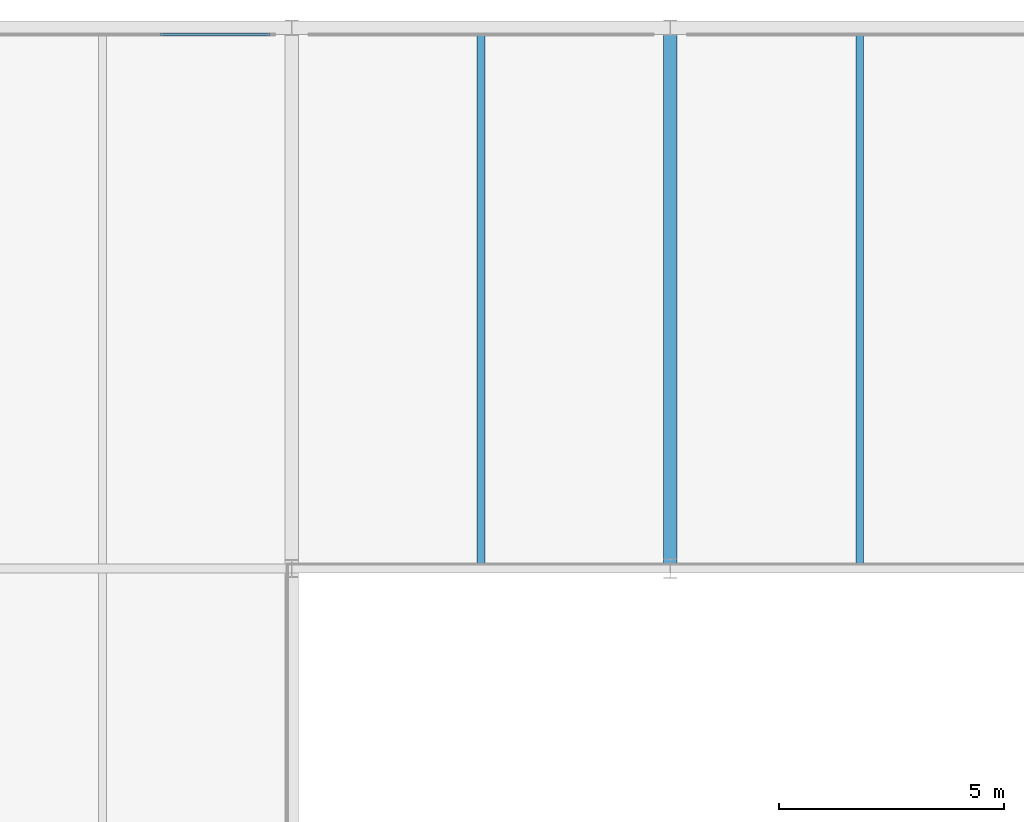
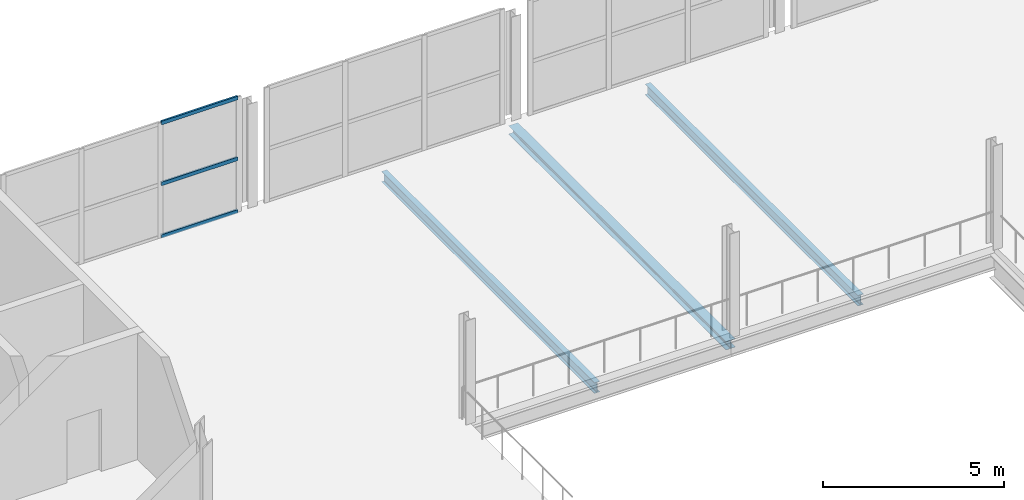
# One storey, part 62 of 103: 3 beams, 3 members, 1 element without a shape of its own.
"""IFC4 building model written with IfcOpenShell, lengths in metres."""

import ifcopenshell
import ifcopenshell.guid

model = None  # the IFC model being written
_history = None  # IfcOwnerHistory: only IFC2X3 demands one
_inside = {}  # id of a spatial element -> (the spatial element, [elements in it])
_under = {}  # id of a project, library or spatial element -> (it, [spatial elements below it])
_declared = {}  # id of a project -> (the project, [libraries it declares])
_typed = {}  # id of a type object -> (the type object, [elements of that type])
_made_of = {}  # id of a material, layer set ... -> (it, [elements and type objects made of it])


def new_model(schema):
    """Start an empty IFC model of exactly this schema.

    Asked for "IFC4X3", IfcOpenShell would pick the latest addendum, in which some entities
    have other attributes; the version numbers below select the first issue.
    IFC2X3 requires an IfcOwnerHistory on every rooted entity: one is made here for all.
    """
    global model, _history
    if schema == "IFC4X3":
        model = ifcopenshell.file(schema_version=(4, 3, 0, 0))
    else:
        model = ifcopenshell.file(schema=schema)
    _inside.clear()
    _under.clear()
    _declared.clear()
    _typed.clear()
    _made_of.clear()
    _history = None
    if model.schema == "IFC2X3":
        org = make("IfcOrganization", Name="unknown")
        user = make(
            "IfcPersonAndOrganization",
            ThePerson=make("IfcPerson", FamilyName="unknown"),
            TheOrganization=org,
        )
        app = make(
            "IfcApplication",
            ApplicationDeveloper=org,
            Version="unknown",
            ApplicationFullName="unknown",
            ApplicationIdentifier="unknown",
        )
        _history = make(
            "IfcOwnerHistory",
            OwningUser=user,
            OwningApplication=app,
            ChangeAction="ADDED",
            CreationDate=0,
        )
    return model


def make(cls, **values):
    """One entity of the class cls with the attributes given. An attribute that is None is left unset."""
    return model.create_entity(
        cls, **{name: value for name, value in values.items() if value is not None}
    )


def rooted(cls, **values):
    """An entity with a GlobalId (a new one), such as an element, a storey or a relation."""
    return make(cls, GlobalId=ifcopenshell.guid.new(), OwnerHistory=_history, **values)


def si_unit(unit_type, name, prefix=None):
    """IfcSIUnit, for example si_unit("LENGTHUNIT", "METRE", prefix="MILLI")."""
    return make("IfcSIUnit", UnitType=unit_type, Prefix=prefix, Name=name)


def assignment(units):
    """IfcUnitAssignment: the units of a project."""
    return None if units is None else make("IfcUnitAssignment", Units=units)


def point(xyz):
    """IfcCartesianPoint."""
    return None if xyz is None else make("IfcCartesianPoint", Coordinates=xyz)


def direction(xyz):
    """IfcDirection."""
    return None if xyz is None else make("IfcDirection", DirectionRatios=xyz)


def frame(location, z_axis=None, x_axis=None):
    """IfcAxis2Placement3D, a coordinate frame: its origin and axes. An axis left out is left unset."""
    return make(
        "IfcAxis2Placement3D",
        Location=point(location),
        Axis=direction(z_axis),
        RefDirection=direction(x_axis),
    )


def frame_2d(location, x_axis=None):
    """IfcAxis2Placement2D, a coordinate frame in the plane: its origin and x axis."""
    return make(
        "IfcAxis2Placement2D", Location=point(location), RefDirection=direction(x_axis)
    )


def origin():
    """The frame at (0, 0, 0) with its axes left unset."""
    return frame((0.0, 0.0, 0.0))


def origin_2d():
    """The frame at (0, 0) in the plane with its x axis left unset."""
    return frame_2d((0.0, 0.0))


def place(relative_to, where):
    """IfcLocalPlacement: puts the frame where relative to a parent placement (None: the world)."""
    return make(
        "IfcLocalPlacement", PlacementRelTo=relative_to, RelativePlacement=where
    )


def context(
    kind, dimensions, precision=None, world=None, true_north=None, identifier=None
):
    """IfcGeometricRepresentationContext, for example the 3D "Model" context."""
    return make(
        "IfcGeometricRepresentationContext",
        ContextIdentifier=identifier,
        ContextType=kind,
        CoordinateSpaceDimension=dimensions,
        Precision=precision,
        WorldCoordinateSystem=world,
        TrueNorth=true_north,
    )


def subcontext(parent, identifier, kind, view, scale=None):
    """IfcGeometricRepresentationSubContext, for example "Body" below "Model"."""
    return make(
        "IfcGeometricRepresentationSubContext",
        ContextIdentifier=identifier,
        ContextType=kind,
        ParentContext=parent,
        TargetScale=scale,
        TargetView=view,
    )


def project(units=None, contexts=None):
    """IfcProject with its units and contexts."""
    return rooted(
        "IfcProject",
        Name="project",
        RepresentationContexts=contexts,
        UnitsInContext=assignment(units),
    )


def spatial(cls, under=None, at=None, **own):
    """A site, building, storey or space (cls), placed at a placement, below another one or the project."""
    s = rooted(cls, ObjectPlacement=at, **own)
    if under is not None:
        _under.setdefault(under.id(), (under, []))[1].append(s)
    return s


def profile(cls, at=None, kind="AREA", **sizes):
    """A parametric profile (cls). Its sizes go by their IFC names, for example OverallWidth=200.0."""
    return make(cls, ProfileType=kind, Position=at, **sizes)


def hollow_rectangle(**sizes):
    """IfcRectangleHollowProfileDef."""
    return profile("IfcRectangleHollowProfileDef", **sizes)


def i_section(**sizes):
    """IfcIShapeProfileDef."""
    return profile("IfcIShapeProfileDef", **sizes)


def extrude(swept, where, along, depth):
    """IfcExtrudedAreaSolid: the profile swept, set in the frame where, extruded along a direction by depth."""
    return make(
        "IfcExtrudedAreaSolid",
        SweptArea=swept,
        Position=where,
        ExtrudedDirection=direction(along),
        Depth=depth,
    )


def shape(context_of_items, identifier, shape_type, items):
    """IfcShapeRepresentation: the items that make up one representation, for example the "Body"."""
    return make(
        "IfcShapeRepresentation",
        ContextOfItems=context_of_items,
        RepresentationIdentifier=identifier,
        RepresentationType=shape_type,
        Items=items,
    )


def material(Name=None, Category=None):
    """IfcMaterial."""
    return make("IfcMaterial", Name=Name, Category=Category)


def material_profile(
    of_material, cross_section, Name=None, Category=None, Priority=None
):
    """IfcMaterialProfile: a cross section and its material."""
    return make(
        "IfcMaterialProfile",
        Name=Name,
        Material=of_material,
        Profile=cross_section,
        Priority=Priority,
        Category=Category,
    )


def profile_set(profiles, Name=None, composite=None):
    """IfcMaterialProfileSet."""
    return make(
        "IfcMaterialProfileSet",
        Name=Name,
        MaterialProfiles=profiles,
        CompositeProfile=composite,
    )


def made_of(thing, what):
    """Note that an element or type object is made of a material, layer set ...; save() writes the relation."""
    if what is not None:
        _made_of.setdefault(what.id(), (what, []))[1].append(thing)
    return thing


def type_object(cls, material=None, **own):
    """A type object (cls), such as IfcWallType, which elements share."""
    return made_of(rooted(cls, **own), material)


def element(
    cls,
    number,
    at=None,
    inside=None,
    cuts=None,
    type_object=None,
    material=None,
    context=None,
    identifier="Body",
    shape_type=None,
    held_by="IfcProductDefinitionShape",
    body=None,
    shapes=None,
    **own,
):
    """One element of the class cls, such as IfcWall. Its Tag is "e" and its number.

    at: its placement. inside: the storey or other place that contains it. cuts: it is an
    opening in that element (IfcRelVoidsElement). A single representation is given by context,
    identifier, shape_type and body (its items); several are given by shapes. held_by: the class
    of the entity that holds the representations. save() writes the other relations.
    """
    e = rooted(cls, Tag="e%d" % number, ObjectPlacement=at, **own)
    if body is not None:
        shapes = [shape(context, identifier, shape_type, body)]
    if shapes is not None:
        e.Representation = make(held_by, Representations=shapes)
    if inside is not None:
        _inside.setdefault(inside.id(), (inside, []))[1].append(e)
    if cuts is not None:
        rooted(
            "IfcRelVoidsElement", RelatingBuildingElement=cuts, RelatedOpeningElement=e
        )
    if type_object is not None:
        _typed.setdefault(type_object.id(), (type_object, []))[1].append(e)
    return made_of(e, material)


def aggregate(whole, parts):
    """IfcRelAggregates: a whole, such as a stair, and the parts it consists of."""
    return rooted("IfcRelAggregates", RelatingObject=whole, RelatedObjects=parts)


def save(model, path):
    """Write the relations noted so far, then the file.

    IfcRelAggregates (storeys below a building ...), IfcRelContainedInSpatialStructure (elements
    in a storey), IfcRelDefinesByType, IfcRelAssociatesMaterial and IfcRelDeclares: one each for
    every whole, place, type object, material and project.
    """
    for whole, parts in _under.values():
        aggregate(whole, parts)
    for where, things in _inside.values():
        rooted(
            "IfcRelContainedInSpatialStructure",
            RelatedElements=things,
            RelatingStructure=where,
        )
    for kind, things in _typed.values():
        rooted("IfcRelDefinesByType", RelatedObjects=things, RelatingType=kind)
    for what, things in _made_of.values():
        rooted("IfcRelAssociatesMaterial", RelatedObjects=things, RelatingMaterial=what)
    for by, libraries in _declared.values():
        rooted("IfcRelDeclares", RelatingContext=by, RelatedDefinitions=libraries)
    model.write(path)


model = new_model("IFC4")

# Units and contexts
model_context = context("Model", 3, precision=1e-05, world=origin(), true_north=direction((0.0, 1.0)))
body_context = subcontext(model_context, "Body", "Model", "MODEL_VIEW")
ifc_project = project(units=[si_unit("LENGTHUNIT", "METRE"), si_unit("AREAUNIT", "SQUARE_METRE"), si_unit("VOLUMEUNIT", "CUBIC_METRE"), si_unit("PLANEANGLEUNIT", "RADIAN"), si_unit("MASSUNIT", "GRAM", prefix="KILO")], contexts=[model_context])

# Site, building, storey
site_placement = place(None, origin())
site = spatial("IfcSite", under=ifc_project, at=site_placement, CompositionType="ELEMENT")
building_placement = place(site_placement, origin())
building = spatial("IfcBuilding", under=site, at=building_placement, Name="Veltarok Museum of Natural Sciences", CompositionType="ELEMENT")
storey_placement = place(building_placement, frame((0.0, 0.0, 21.89990234375)))
storey = spatial("IfcBuildingStorey", under=building, at=storey_placement, Name="L04", CompositionType="ELEMENT", Elevation=21.89990234375)

# Curtain wall, members
ifc_material_1 = material(Name="Low-iron triple insulated glass", Category="glass")
curtain_wall_type = type_object("IfcCurtainWallType", Name="Curtain Wall System CW-V2N-L04-6-756x388 (V2 North Hall L04 6-7 756x388cm)", PredefinedType="NOTDEFINED", material=ifc_material_1)
curtain_wall_placement = place(storey_placement, origin())
curtain_wall = element("IfcCurtainWall", 1, at=curtain_wall_placement, inside=storey, type_object=curtain_wall_type, Name="Curtain Wall CW-V2N-L04-6-756x388 CW-0061", PredefinedType="NOTDEFINED")
ifc_material_2 = material(Name="Thermally broken anodised aluminium", Category="aluminium")
ifc_material_profile_1 = material_profile(ifc_material_2, hollow_rectangle(XDim=0.06005859375, YDim=0.1201171875, WallThickness=0.0048828125, at=origin_2d()), Name="CW TRANSOM 60x120x5")
ifc_profile_set_1 = profile_set([ifc_material_profile_1], Name="Thermally broken anodised aluminium")
member_type = type_object("IfcMemberType", Name="Curtain Wall Horizontal Transom 60x120x5", PredefinedType="USERDEFINED", material=ifc_profile_set_1)
member_1_placement = place(storey_placement, frame((56.320068359375, 71.85009765625, 0.030029296875), z_axis=(-1.0, 0.0, 0.0), x_axis=(0.0, -1.0, 0.0)))
member_1 = element("IfcMember", 2, at=member_1_placement, type_object=member_type, Name="CW-V2N-L04-6-756x388 transom 1.1", ObjectType="TRANSOM", PredefinedType="USERDEFINED", context=body_context, shape_type="SweptSolid", body=[
    extrude(hollow_rectangle(XDim=0.06005859375, YDim=0.1201171875, WallThickness=0.0048828125, at=origin_2d()), origin(), (0.0, 0.0, 1.0), 2.43017578125),
])
member_2_placement = place(storey_placement, frame((56.320068359375, 71.85009765625, 1.800048828125), z_axis=(-1.0, 0.0, 0.0), x_axis=(0.0, -1.0, 0.0)))
member_2 = element("IfcMember", 3, at=member_2_placement, type_object=member_type, Name="CW-V2N-L04-6-756x388 transom 1.2", ObjectType="TRANSOM", PredefinedType="USERDEFINED", context=body_context, shape_type="SweptSolid", body=[
    extrude(hollow_rectangle(XDim=0.06005859375, YDim=0.1201171875, WallThickness=0.0048828125, at=origin_2d()), origin(), (0.0, 0.0, 1.0), 2.43017578125),
])
member_3_placement = place(storey_placement, frame((56.320068359375, 71.85009765625, 3.85009765625), z_axis=(-1.0, 0.0, 0.0), x_axis=(0.0, -1.0, 0.0)))
member_3 = element("IfcMember", 4, at=member_3_placement, type_object=member_type, Name="CW-V2N-L04-6-756x388 transom 1.3", ObjectType="TRANSOM", PredefinedType="USERDEFINED", context=body_context, shape_type="SweptSolid", body=[
    extrude(hollow_rectangle(XDim=0.06005859375, YDim=0.1201171875, WallThickness=0.0048828125, at=origin_2d()), origin(), (0.0, 0.0, 1.0), 2.43017578125),
])
aggregate(curtain_wall, [member_1, member_2, member_3])

# Beams
ifc_material_3 = material(Name="Steel S355J2", Category="steel")
ifc_material_profile_2 = material_profile(ifc_material_3, i_section(OverallWidth=0.300048828125, OverallDepth=0.2900390625, WebThickness=0.008544921875, FlangeThickness=0.013916015625, FilletRadius=0.027099609375, at=origin_2d()), Name="HEA 300")
ifc_profile_set_2 = profile_set([ifc_material_profile_2], Name="Steel S355J2")
beam_type_1 = type_object("IfcBeamType", Name="Glazed Hall Edge Spandrel HEA 300", PredefinedType="SPANDREL", material=ifc_profile_set_2)
beam_placement = place(storey_placement, frame((65.199951171875, 60.0, -0.39501953125), z_axis=(0.0, 1.0, 0.0), x_axis=(-1.0, 0.0, 0.0)))
element("IfcBeam", 5, at=beam_placement, inside=storey, type_object=beam_type_1, Name="Beam BM-SP03 L04 8/G-H", PredefinedType="SPANDREL", context=body_context, shape_type="SweptSolid", body=[
    extrude(i_section(OverallWidth=0.300048828125, OverallDepth=0.2900390625, WebThickness=0.008544921875, FlangeThickness=0.013916015625, FilletRadius=0.027099609375, at=origin_2d()), origin(), (0.0, 0.0, 1.0), 12.0),
])
ifc_material_profile_3 = material_profile(ifc_material_3, i_section(OverallWidth=0.169921875, OverallDepth=0.360107421875, WebThickness=0.008056640625, FlangeThickness=0.0126953125, FilletRadius=0.01806640625, at=origin_2d()), Name="IPE 360")
ifc_profile_set_3 = profile_set([ifc_material_profile_3], Name="Steel S355J2")
beam_type_2 = type_object("IfcBeamType", Name="Long-Bay Composite Joist IPE 360", PredefinedType="JOIST", material=ifc_profile_set_3)
for number, where, z_axis, x_axis, name in (
    (6, (61.0, 60.097900390625, -0.429931640625), (0.0, 1.0, 0.0), (-1.0, 0.0, 0.0), "Secondary Joist BM-J01 L04 7-8/G-H.1"),
    (7, (69.39990234375, 60.097900390625, -0.429931640625), (0.0, 1.0, 0.0), (-1.0, 0.0, 0.0), "Secondary Joist BM-J01 L04 8-9/G-H.1"),
):
    element("IfcBeam", number, at=place(storey_placement, frame(where, z_axis=z_axis, x_axis=x_axis)), inside=storey, type_object=beam_type_2, Name=name, PredefinedType="JOIST", context=body_context, shape_type="SweptSolid", body=[
        extrude(i_section(OverallWidth=0.169921875, OverallDepth=0.360107421875, WebThickness=0.008056640625, FlangeThickness=0.0126953125, FilletRadius=0.01806640625, at=origin_2d()), origin(), (0.0, 0.0, 1.0), 11.754150390625),
    ])

save(model, "model.ifc")
